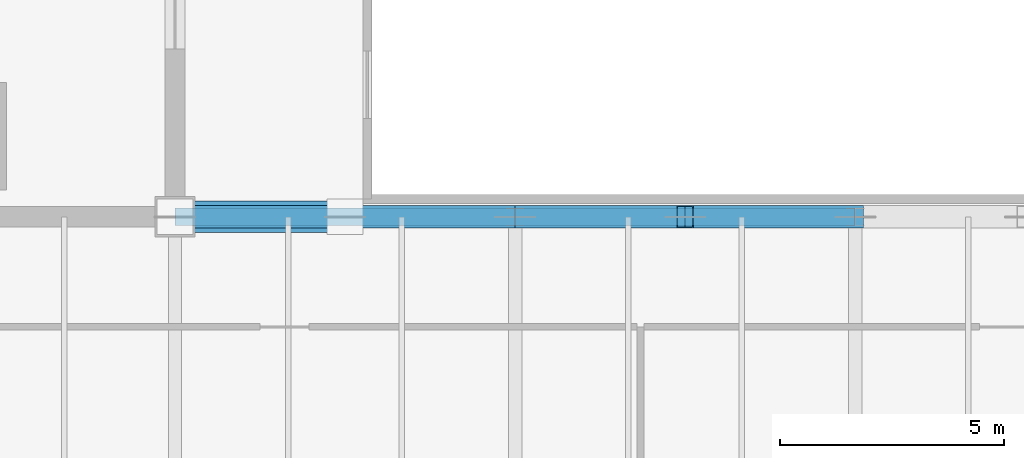
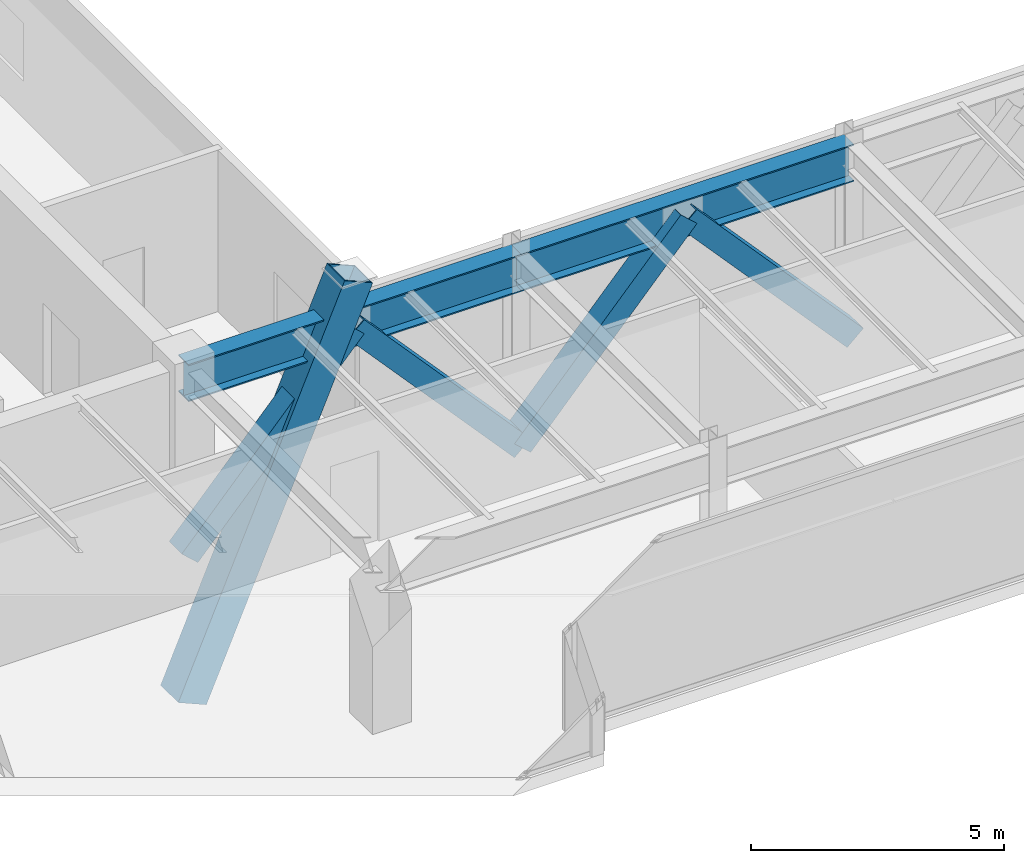
# One storey, part 8 of 32: 5 members, 2 beams.
"""IFC4 building model written with IfcOpenShell, lengths in metres."""

from ifc_helpers import new_model, si_unit, direction, frame, origin, origin_2d, place, context, subcontext, project, spatial, hollow_rectangle, i_section, extrude, source, transform, mapped, material, material_profile, profile_set, type_object, type_shapes, element, save


model = new_model("IFC4")

# Units and contexts
model_context = context("Model", 3, precision=1e-05, world=origin(), true_north=direction((0.0, 1.0)))
body_context = subcontext(model_context, "Body", "Model", "MODEL_VIEW")
ifc_project = project(units=[si_unit("LENGTHUNIT", "METRE"), si_unit("AREAUNIT", "SQUARE_METRE"), si_unit("VOLUMEUNIT", "CUBIC_METRE"), si_unit("PLANEANGLEUNIT", "RADIAN"), si_unit("MASSUNIT", "GRAM", prefix="KILO")], contexts=[model_context])

# Site, building, storey
site_placement = place(None, origin())
site = spatial("IfcSite", under=ifc_project, at=site_placement, CompositionType="ELEMENT")
building_placement = place(site_placement, origin())
building = spatial("IfcBuilding", under=site, at=building_placement, Name="Haelvirn Gate Laboratories", CompositionType="ELEMENT")
storey_placement = place(building_placement, frame((0.0, 0.0, 301.800048828125)))
storey = spatial("IfcBuildingStorey", under=building, at=storey_placement, Name="L72", CompositionType="ELEMENT", Elevation=301.800048828125)

# Beams
ifc_material = material(Name="Steel SM420", Category="steel")
ifc_material_profile_1 = material_profile(ifc_material, i_section(OverallWidth=0.39990234375, OverallDepth=0.89990234375, WebThickness=0.01904296875, FlangeThickness=0.031982421875, at=origin_2d()), Name="H-900x400x19x32")
ifc_profile_set_1 = profile_set([ifc_material_profile_1], Name="Steel SM420")
beam_type = type_object("IfcBeamType", Name="BM-TG-900", PredefinedType="BEAM", material=ifc_profile_set_1)
shared_shape_1 = source(origin(), body_context, "Body", "SweptSolid", [
    extrude(i_section(OverallWidth=0.39990234375, OverallDepth=0.89990234375, WebThickness=0.01904296875, FlangeThickness=0.031982421875, at=origin_2d()), origin(), (0.0, 0.0, 1.0), 7.60009765625),
])
beam_1_placement = place(storey_placement, frame((22.199951171875, 14.800048828125, 3.449951171875), z_axis=(1.0, 0.0, 0.0), x_axis=(0.0, 1.0, 0.0)))
element("IfcBeam", 1, at=beam_1_placement, inside=storey, type_object=beam_type, Name="L72 Primary Girder Y14.8 (22.2-29.8)", PredefinedType="BEAM", context=body_context, shape_type="MappedRepresentation", body=[
    mapped(shared_shape_1, transform((0.0, 0.0, 0.0), scale=1.0)),
])
shared_shape_2 = source(origin(), body_context, "Body", "SweptSolid", [
    extrude(i_section(OverallWidth=0.39990234375, OverallDepth=0.89990234375, WebThickness=0.01904296875, FlangeThickness=0.031982421875, at=origin_2d()), origin(), (0.0, 0.0, 1.0), 7.599853515625),
])
type_shapes(beam_type, [shared_shape_1, shared_shape_2])
beam_2_placement = place(storey_placement, frame((29.800048828125, 14.800048828125, 3.449951171875), z_axis=(1.0, 0.0, 0.0), x_axis=(0.0, 1.0, 0.0)))
element("IfcBeam", 2, at=beam_2_placement, inside=storey, type_object=beam_type, Name="L72 Primary Girder Y14.8 (29.8-37.4)", PredefinedType="BEAM", context=body_context, shape_type="MappedRepresentation", body=[
    mapped(shared_shape_2, transform((0.0, 0.0, 0.0), scale=1.0)),
])

# Members
ifc_material_profile_2 = material_profile(ifc_material, hollow_rectangle(XDim=0.699951171875, YDim=0.699951171875, WallThickness=0.031982421875, at=origin_2d()), Name="BOX-700x700x32")
ifc_profile_set_2 = profile_set([ifc_material_profile_2], Name="Steel SM420")
member_type_1 = type_object("IfcMemberType", Name="MEM-ARCH-RIB", PredefinedType="CHORD", material=ifc_profile_set_2)
shared_shape_3 = source(origin(), body_context, "Body", "SweptSolid", [
    extrude(hollow_rectangle(XDim=0.699951171875, YDim=0.699951171875, WallThickness=0.031982421875, at=origin_2d()), origin(), (0.0, 0.0, 1.0), 9.639892578125),
])
type_shapes(member_type_1, [shared_shape_3])
member_placement = place(storey_placement, frame((22.199951171875, 14.800048828125, -4.199951171875), z_axis=(0.394197428644, 0.0, 0.919025781603), x_axis=(0.0, 1.0, 0.0)))
element("IfcMember", 3, at=member_placement, inside=storey, type_object=member_type_1, Name="Parabolic Steel Arch Rib Y14.8 Seg 1", PredefinedType="CHORD", context=body_context, shape_type="MappedRepresentation", body=[
    mapped(shared_shape_3, transform((0.0, 0.0, 0.0), scale=1.0)),
])
ifc_material_profile_3 = material_profile(ifc_material, hollow_rectangle(XDim=0.5, YDim=0.5, WallThickness=0.02197265625, at=origin_2d()), Name="BOX-500x500x22")
ifc_profile_set_3 = profile_set([ifc_material_profile_3], Name="Steel SM420")
member_type_2 = type_object("IfcMemberType", Name="MEM-ARCH-WEB", PredefinedType="BRACE", material=ifc_profile_set_3)
shared_shape_4 = source(origin(), body_context, "Body", "SweptSolid", [
    extrude(hollow_rectangle(XDim=0.5, YDim=0.5, WallThickness=0.02197265625, at=origin_2d()), origin(), (0.0, 0.0, 1.0), 5.663818359375),
])
type_shapes(member_type_2, [shared_shape_4])
for number, where, z_axis, x_axis, name in (
    (4, (22.199951171875, 14.800048828125, -0.75), (0.670922353302, 0.0, 0.741527609628), (0.0, 1.0, 0.0), "L72 Arch Truss Chevron Web Y14.8-1A"),
    (5, (26.0, 14.800048828125, 3.449951171875), (0.670922353302, 0.0, -0.741527609628), (0.0, 1.0, 0.0), "L72 Arch Truss Chevron Web Y14.8-1B"),
    (6, (29.800048828125, 14.800048828125, -0.75), (0.670922353302, 0.0, 0.741527609628), (0.0, 1.0, 0.0), "L72 Arch Truss Chevron Web Y14.8-2A"),
    (7, (33.60009765625, 14.800048828125, 3.449951171875), (0.670898650667, 0.0, -0.741549054705), (0.0, 1.0, 0.0), "L72 Arch Truss Chevron Web Y14.8-2B"),
):
    element("IfcMember", number, at=place(storey_placement, frame(where, z_axis=z_axis, x_axis=x_axis)), inside=storey, type_object=member_type_2, Name=name, PredefinedType="BRACE", context=body_context, shape_type="MappedRepresentation", body=[
        mapped(shared_shape_4, transform((0.0, 0.0, 0.0), scale=1.0)),
    ])

save(model, "model.ifc")
